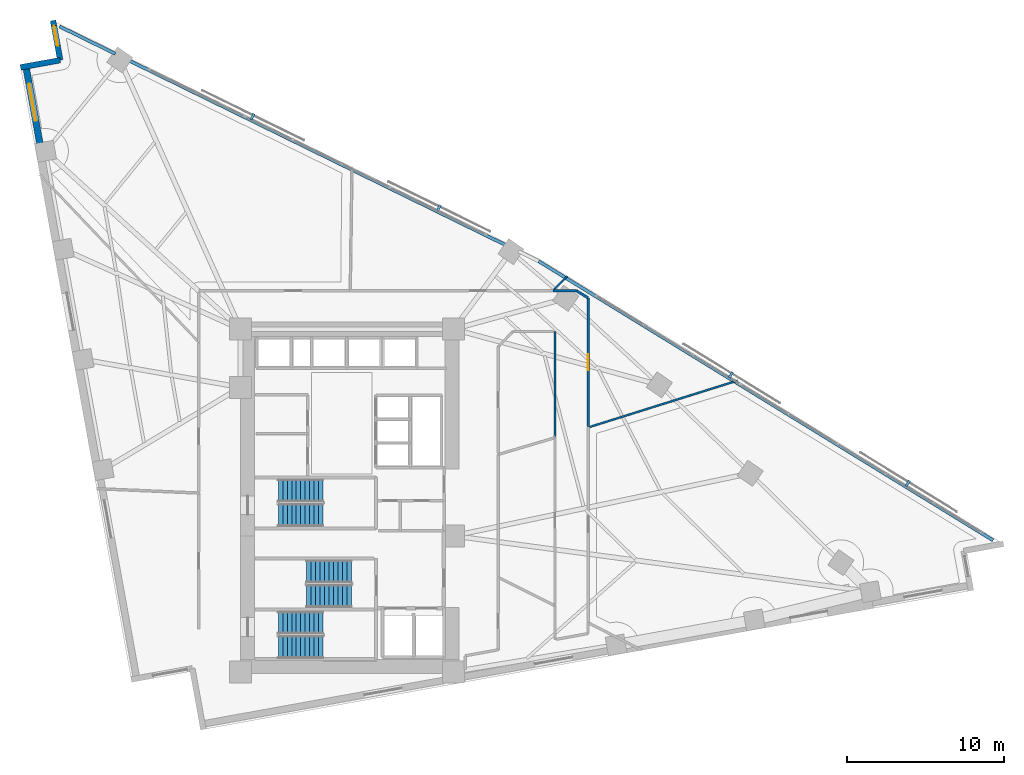
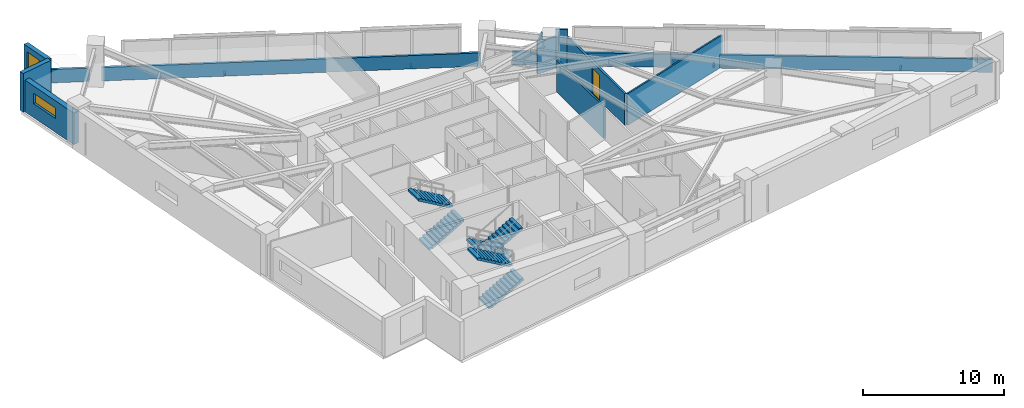
# One storey, part 17 of 19: 12 walls, 6 stair flights, 4 discrete accessories, 2 windows, 1 door, 3 openings, 3 elements without a shape of their own.
"""IFC4 building model written with IfcOpenShell, lengths in metres."""

from ifc_helpers import new_model, si_unit, direction, frame, frame_2d, origin, origin_2d, place, context, subcontext, project, spatial, polyline, rectangle, outline, extrude, material, layer, layer_set, type_object, element, fill, aggregate, save


model = new_model("IFC4")

# Units and contexts
model_context = context("Model", 3, precision=1e-05, world=origin(), true_north=direction((0.0, 1.0)))
body_context = subcontext(model_context, "Body", "Model", "MODEL_VIEW")
ifc_project = project(units=[si_unit("LENGTHUNIT", "METRE"), si_unit("AREAUNIT", "SQUARE_METRE"), si_unit("VOLUMEUNIT", "CUBIC_METRE"), si_unit("PLANEANGLEUNIT", "RADIAN"), si_unit("MASSUNIT", "GRAM", prefix="KILO")], contexts=[model_context])

# Site, building, storey
site_placement = place(None, origin())
site = spatial("IfcSite", under=ifc_project, at=site_placement, CompositionType="ELEMENT")
building_placement = place(site_placement, origin())
building = spatial("IfcBuilding", under=site, at=building_placement, Name="Narakoshi Arena Tower", CompositionType="ELEMENT")
storey_placement = place(building_placement, frame((0.0, 0.0, 117.300048828125)))
storey = spatial("IfcBuildingStorey", under=building, at=storey_placement, Name="L31", CompositionType="ELEMENT", Elevation=117.300048828125)

# Wall, opening, door
ifc_material_1 = material(Name="Gypsum plasterboard fire-rated partition")
ifc_layer_1 = layer(ifc_material_1, 0.1650390625)
ifc_layer_set_1 = layer_set([ifc_layer_1], Name="Gypsum plasterboard fire-rated partition")
wall_type_1 = type_object("IfcWallType", Name="WL-CORR-165", PredefinedType="PARTITIONING", material=ifc_layer_set_1)
wall_1_placement = place(storey_placement, frame((94.10498046875, 50.306396484375, 0.0), z_axis=(0.0, 0.0, 1.0), x_axis=(0.0, 1.0, 0.0)))
wall_1 = element("IfcWall", 1, at=wall_1_placement, inside=storey, type_object=wall_type_1, Name="L31 Corridor Partition 05-1", PredefinedType="PARTITIONING", context=body_context, shape_type="SweptSolid", body=[
    extrude(rectangle(XDim=8.186279296875, YDim=0.1650390625, at=frame_2d((4.09326171875, 0.0))), origin(), (0.0, 0.0, 1.0), 2.724853515625),
])
opening_1_placement = place(wall_1_placement, frame((3.59326171875, 0.0, 0.0)))
opening_1 = element("IfcOpeningElement", 2, at=opening_1_placement, cuts=wall_1, Name="Opening D-06", PredefinedType="OPENING", context=body_context, shape_type="SweptSolid", body=[
    extrude(rectangle(XDim=1.0, YDim=2.199951171875, at=frame_2d((0.5, 1.10009765625))), frame((0.0, 0.092529296875, 0.0), z_axis=(0.0, -1.0, 0.0), x_axis=(1.0, 0.0, 0.0)), (0.0, 0.0, 1.0), 0.18505859375),
])
ifc_material_2 = material(Name="Stained oak solid-core timber", Category="wood")
door_type = type_object("IfcDoorType", Name="DR-OFF-1000", OperationType="NOTDEFINED", PredefinedType="DOOR", material=ifc_material_2)
door_placement = place(opening_1_placement, frame((1.0, 0.0, 0.0), z_axis=(0.0, 0.0, 1.0), x_axis=(-1.0, 0.0, 0.0)))
door = element("IfcDoor", 3, at=door_placement, inside=storey, type_object=door_type, Name="DR-L31-019", OperationType="SINGLE_SWING_LEFT", OverallHeight=2.199951171875, OverallWidth=1.0, PredefinedType="DOOR", context=body_context, shape_type="SweptSolid", body=[
    extrude(rectangle(XDim=1.0, YDim=2.199951171875, at=frame_2d((0.5, 1.10009765625))), frame((0.0, 0.02490234375, 0.0), z_axis=(0.0, -1.0, 0.0), x_axis=(1.0, 0.0, 0.0)), (0.0, 0.0, 1.0), 0.050048828125),
])
fill(opening_1, door)

# Walls
wall_2_placement = place(storey_placement, frame((93.370361328125, 58.944091796875, 0.0), z_axis=(0.0, 0.0, 1.0), x_axis=(-1.0, 0.0, 0.0)))
element("IfcWall", 4, at=wall_2_placement, inside=storey, type_object=wall_type_1, Name="L31 Corridor Partition 05-2", PredefinedType="PARTITIONING", context=body_context, shape_type="SweptSolid", body=[
    extrude(rectangle(XDim=1.509033203125, YDim=0.1650390625, at=frame_2d((0.75439453125, 0.0))), origin(), (0.0, 0.0, 1.0), 2.724853515625),
])
wall_3_placement = place(storey_placement, frame((94.10498046875, 58.49267578125, 0.0), z_axis=(0.0, 0.0, 1.0), x_axis=(-0.851998403327, 0.523544382769, 0.0)))
element("IfcWall", 5, at=wall_3_placement, inside=storey, type_object=wall_type_1, Name="L31 Corridor Partition 05-3", PredefinedType="PARTITIONING", context=body_context, shape_type="SweptSolid", body=[
    extrude(rectangle(XDim=0.8623046875, YDim=0.1650390625, at=frame_2d((0.43115234375, 0.0))), origin(), (0.0, 0.0, 1.0), 3.33984375),
])
ifc_material_3 = material(Name="Precast concrete C45/55", Category="concrete")
ifc_layer_2 = layer(ifc_material_3, 0.25)
ifc_layer_set_2 = layer_set([ifc_layer_2], Name="Precast concrete C45/55")
wall_type_2 = type_object("IfcWallType", Name="WL-PARA-250", PredefinedType="PARAPET", material=ifc_layer_set_2)
wall_4_placement = place(storey_placement, frame((119.86474609375, 43.0703125, 0.0), z_axis=(0.0, 0.0, 1.0), x_axis=(-0.852110824326, 0.52336138859, 0.0)))
element("IfcWall", 6, at=wall_4_placement, inside=storey, type_object=wall_type_2, Name="L31 Hypotenuse Sill Upstand Parapet 1-01", PredefinedType="PARAPET", context=body_context, shape_type="SweptSolid", body=[
    extrude(rectangle(XDim=33.931640625, YDim=0.199951171875, at=frame_2d((16.9658203125, 0.0))), origin(), (0.0, 0.0, 1.0), 1.14990234375),
])
wall_5_placement = place(storey_placement, frame((88.9208984375, 61.82275390625, 0.0), z_axis=(0.0, 0.0, 1.0), x_axis=(-0.897993533426, 0.440008652103, 0.0)))
element("IfcWall", 7, at=wall_5_placement, inside=storey, type_object=wall_type_2, Name="L31 Hypotenuse Sill Upstand Parapet 2-02", PredefinedType="PARAPET", context=body_context, shape_type="SweptSolid", body=[
    extrude(rectangle(XDim=26.86376953125, YDim=0.199951171875, at=frame_2d((13.431884765625, 0.0))), origin(), (0.0, 0.0, 1.0), 1.14990234375),
])
wall_6_placement = place(storey_placement, frame((64.031982421875, 74.01806640625, 0.0), z_axis=(0.0, 0.0, 1.0), x_axis=(-0.89799103332, 0.440013754417, 0.0)))
element("IfcWall", 8, at=wall_6_placement, inside=storey, type_object=wall_type_2, Name="L31 Hypotenuse Sill Upstand Parapet 2-03", PredefinedType="PARAPET", context=body_context, shape_type="SweptSolid", body=[
    extrude(rectangle(XDim=3.954833984375, YDim=0.199951171875, at=frame_2d((1.9775390625, 0.0))), origin(), (0.0, 0.0, 1.0), 1.14990234375),
])
ifc_layer_3 = layer(ifc_material_1, 0.125)
ifc_layer_set_3 = layer_set([ifc_layer_3], Name="Gypsum plasterboard fire-rated partition")
wall_type_3 = type_object("IfcWallType", Name="WL-PART-125", PredefinedType="PARTITIONING", material=ifc_layer_set_3)
wall_7_placement = place(storey_placement, frame((94.199462890625, 50.276123046875, 0.0), z_axis=(0.0, 0.0, 1.0), x_axis=(0.954114642995, 0.29944156028, 0.0)))
element("IfcWall", 9, at=wall_7_placement, inside=storey, type_object=wall_type_3, Name="L31 Inter-Room Partition 04-05", PredefinedType="PARTITIONING", context=body_context, shape_type="SweptSolid", body=[
    extrude(rectangle(XDim=9.876708984375, YDim=0.125, at=frame_2d((4.9384765625, 0.0))), origin(), (0.0, 0.0, 1.0), 2.724853515625),
])
wall_8_placement = place(storey_placement, frame((91.9560546875, 59.03857421875, 0.0), z_axis=(0.0, 0.0, 1.0), x_axis=(0.708129644878, 0.706082435729, 0.0)))
element("IfcWall", 10, at=wall_8_placement, inside=storey, type_object=wall_type_3, Name="L31 Inter-Room Partition 05-07", PredefinedType="PARTITIONING", context=body_context, shape_type="SweptSolid", body=[
    extrude(rectangle(XDim=1.192626953125, YDim=0.125, at=frame_2d((0.59619140625, 0.0))), origin(), (0.0, 0.0, 1.0), 2.724853515625),
])

# Wall, opening, window
ifc_layer_4 = layer(ifc_material_3, 0.419921875)
ifc_layer_set_4 = layer_set([ifc_layer_4], Name="Precast concrete C45/55")
wall_type_4 = type_object("IfcWallType", Name="WL-POD-420", PredefinedType="SOLIDWALL", material=ifc_layer_set_4)
wall_9_placement = place(storey_placement, frame((58.341796875, 73.2197265625, 0.0), z_axis=(0.0, 0.0, 1.0), x_axis=(0.177981837245, -0.984033772597, 0.0)))
wall_9 = element("IfcWall", 11, at=wall_9_placement, inside=storey, type_object=wall_type_4, Name="L31 Architectural Concrete Facade Wall LEGB-1", PredefinedType="SOLIDWALL", context=body_context, shape_type="SweptSolid", body=[
    extrude(rectangle(XDim=5.540283203125, YDim=0.419921875, at=frame_2d((2.77001953125, 0.0))), origin(), (0.0, 0.0, 1.0), 2.724853515625),
])
opening_2_placement = place(wall_9_placement, frame((1.11767578125, 0.0, 1.199951171875)))
opening_2 = element("IfcOpeningElement", 12, at=opening_2_placement, cuts=wall_9, Name="Opening WN-01", PredefinedType="OPENING", context=body_context, shape_type="SweptSolid", body=[
    extrude(rectangle(XDim=2.39990234375, YDim=0.89990234375, at=frame_2d((1.199951171875, 0.449951171875))), frame((0.0, 0.219970703125, 0.0), z_axis=(0.0, -1.0, 0.0), x_axis=(1.0, 0.0, 0.0)), (0.0, 0.0, 1.0), 0.43994140625),
])
ifc_material_4 = material(Name="Bronze-tinted low-E laminated glass", Category="glass")
window_type_1 = type_object("IfcWindowType", Name="WIN-SLT-24x09", PartitioningType="SINGLE_PANEL", PredefinedType="WINDOW", material=ifc_material_4)
window_1_placement = place(opening_2_placement, origin())
window_1 = element("IfcWindow", 13, at=window_1_placement, inside=storey, type_object=window_type_1, Name="L31 LEGB1 Horizontal Slot Window 1", OverallHeight=0.89990234375, OverallWidth=2.39990234375, PartitioningType="SINGLE_PANEL", PredefinedType="WINDOW", context=body_context, shape_type="SweptSolid", body=[
    extrude(rectangle(XDim=2.39990234375, YDim=0.89990234375, at=frame_2d((1.199951171875, 0.449951171875))), frame((0.0, 0.030029296875, 0.0), z_axis=(0.0, -1.0, 0.0), x_axis=(1.0, 0.0, 0.0)), (0.0, 0.0, 1.0), 0.06005859375),
])
fill(opening_2, window_1)

wall_10_placement = place(storey_placement, frame((60.066162109375, 76.139404296875, 0.0), z_axis=(0.0, 0.0, 1.0), x_axis=(0.177897493713, -0.984049024048, 0.0)))
wall_10 = element("IfcWall", 14, at=wall_10_placement, inside=storey, type_object=wall_type_4, Name="L31 Re-Entrant Corner Notch Wall NTN-1", PredefinedType="SOLIDWALL", context=body_context, shape_type="SweptSolid", body=[
    extrude(rectangle(XDim=2.56640625, YDim=0.360107421875, at=frame_2d((1.283203125, 0.0))), origin(), (0.0, 0.0, 1.0), 3.33984375),
])
opening_3_placement = place(wall_10_placement, frame((0.340087890625, 0.0, 0.449951171875)))
opening_3 = element("IfcOpeningElement", 15, at=opening_3_placement, cuts=wall_10, Name="Opening WN-06", PredefinedType="OPENING", context=body_context, shape_type="SweptSolid", body=[
    extrude(rectangle(XDim=1.300048828125, YDim=2.39990234375, at=frame_2d((0.64990234375, 1.199951171875))), frame((0.0, 0.18994140625, 0.0), z_axis=(0.0, -1.0, 0.0), x_axis=(1.0, 0.0, 0.0)), (0.0, 0.0, 1.0), 0.380126953125),
])
window_type_2 = type_object("IfcWindowType", Name="WIN-NTC-16x24", PartitioningType="SINGLE_PANEL", PredefinedType="WINDOW", material=ifc_material_4)
window_2_placement = place(opening_3_placement, origin())
window_2 = element("IfcWindow", 16, at=window_2_placement, inside=storey, type_object=window_type_2, Name="L31 Corner Notch Window NTN", OverallHeight=2.39990234375, OverallWidth=1.300048828125, PartitioningType="SINGLE_PANEL", PredefinedType="WINDOW", context=body_context, shape_type="SweptSolid", body=[
    extrude(rectangle(XDim=1.300048828125, YDim=2.39990234375, at=frame_2d((0.64990234375, 1.199951171875))), frame((0.0, 0.030029296875, 0.0), z_axis=(0.0, -1.0, 0.0), x_axis=(1.0, 0.0, 0.0)), (0.0, 0.0, 1.0), 0.06005859375),
])
fill(opening_3, window_2)

# Walls
wall_11_placement = place(storey_placement, frame((60.522705078125, 73.614013671875, 0.0), z_axis=(0.0, 0.0, 1.0), x_axis=(-0.984046012923, -0.177914149102, 0.0)))
element("IfcWall", 17, at=wall_11_placement, inside=storey, type_object=wall_type_4, Name="L31 Re-Entrant Corner Notch Wall NTN-2", PredefinedType="SOLIDWALL", context=body_context, shape_type="SweptSolid", body=[
    extrude(rectangle(XDim=2.566162109375, YDim=0.360107421875, at=frame_2d((1.283203125, 0.0))), origin(), (0.0, 0.0, 1.0), 3.33984375),
])
ifc_material_5 = material(Name="Moisture-resistant cement-board partition")
ifc_layer_5 = layer(ifc_material_5, 0.14501953125)
ifc_layer_set_5 = layer_set([ifc_layer_5], Name="Moisture-resistant cement-board partition")
wall_type_5 = type_object("IfcWallType", Name="WL-WET-145", PredefinedType="PARTITIONING", material=ifc_layer_set_5)
wall_12_placement = place(storey_placement, frame((92.0048828125, 56.35009765625, 0.0), z_axis=(0.0, 0.0, 1.0), x_axis=(0.0, -1.0, 0.0)))
element("IfcWall", 18, at=wall_12_placement, inside=storey, type_object=wall_type_5, Name="L31 Corridor Partition 06-2", PredefinedType="PARTITIONING", context=body_context, shape_type="SweptSolid", body=[
    extrude(rectangle(XDim=6.687744140625, YDim=0.14501953125, at=frame_2d((3.34375, 0.0))), origin(), (0.0, 0.0, 1.0), 2.724853515625),
])

# Stair, stair flights
ifc_material_6 = material(Name="Concrete C45/55", Category="concrete")
stair_type = type_object("IfcStairType", Name="STR-CORE-360", PredefinedType="TWO_STRAIGHT_RUN_STAIR", material=ifc_material_6)
stair_1_placement = place(storey_placement, origin())
stair_1 = element("IfcStair", 19, at=stair_1_placement, inside=storey, type_object=stair_type, Name="L31 Core Escape Stair ST1", PredefinedType="TWO_STRAIGHT_RUN_STAIR")
stair_flight_type = type_object("IfcStairFlightType", Name="FLT-145-160", PredefinedType="STRAIGHT", material=ifc_material_3)
stair_flight_1_placement = place(storey_placement, frame((74.39990234375, 36.27490234375, 0.0), z_axis=(0.0, 0.0, 1.0), x_axis=(1.0, 0.0, 0.0)))
stair_flight_1 = element("IfcStairFlight", 20, at=stair_flight_1_placement, type_object=stair_flight_type, Name="ST1 flight 1", NumberOfRisers=11, NumberOfTreads=10, PredefinedType="STRAIGHT", RiserHeight=0.163636364, TreadLength=0.285, context=body_context, shape_type="SweptSolid", body=[
    extrude(outline(polyline([(0.0, 0.0), (0.0, 0.16357421875), (0.284912109375, 0.16357421875), (0.284912109375, 0.327392578125), (0.570068359375, 0.327392578125), (0.570068359375, 0.490966796875), (0.85498046875, 0.490966796875), (0.85498046875, 0.654541015625), (1.139892578125, 0.654541015625), (1.139892578125, 0.818115234375), (1.425048828125, 0.818115234375), (1.425048828125, 0.98193359375), (1.7099609375, 0.98193359375), (1.7099609375, 1.1455078125), (1.9951171875, 1.1455078125), (1.9951171875, 1.30908203125), (2.280029296875, 1.30908203125), (2.280029296875, 1.47265625), (2.56494140625, 1.47265625), (2.56494140625, 1.636474609375), (2.85009765625, 1.636474609375), (2.85009765625, 1.800048828125), (2.85009765625, 1.463623046875), (0.301025390625, 0.0), (0.0, 0.0)])), frame((0.0, 0.72509765625, 0.0), z_axis=(0.0, -1.0, 0.0), x_axis=(1.0, 0.0, 0.0)), (0.0, 0.0, 1.0), 1.449951171875),
])
stair_flight_2_placement = place(storey_placement, frame((77.25, 37.824951171875, 1.800048828125), z_axis=(0.0, 0.0, 1.0), x_axis=(-1.0, 0.0, 0.0)))
stair_flight_2 = element("IfcStairFlight", 21, at=stair_flight_2_placement, type_object=stair_flight_type, Name="ST1 flight 2", NumberOfRisers=11, NumberOfTreads=10, PredefinedType="STRAIGHT", RiserHeight=0.163636364, TreadLength=0.285, context=body_context, shape_type="SweptSolid", body=[
    extrude(outline(polyline([(0.0, 0.0), (0.0, 0.16357421875), (0.284912109375, 0.16357421875), (0.284912109375, 0.327392578125), (0.570068359375, 0.327392578125), (0.570068359375, 0.490966796875), (0.85498046875, 0.490966796875), (0.85498046875, 0.654541015625), (1.139892578125, 0.654541015625), (1.139892578125, 0.818115234375), (1.425048828125, 0.818115234375), (1.425048828125, 0.98193359375), (1.7099609375, 0.98193359375), (1.7099609375, 1.1455078125), (1.9951171875, 1.1455078125), (1.9951171875, 1.30908203125), (2.280029296875, 1.30908203125), (2.280029296875, 1.47265625), (2.56494140625, 1.47265625), (2.56494140625, 1.636474609375), (2.85009765625, 1.636474609375), (2.85009765625, 1.800048828125), (2.85009765625, 1.463623046875), (0.301025390625, 0.0), (0.0, 0.0)])), frame((0.0, 0.72509765625, 0.0), z_axis=(0.0, -1.0, 0.0), x_axis=(1.0, 0.0, 0.0)), (0.0, 0.0, 1.0), 1.449951171875),
])
aggregate(stair_1, [stair_flight_1, stair_flight_2])

stair_2_placement = place(storey_placement, origin())
stair_2 = element("IfcStair", 22, at=stair_2_placement, inside=storey, type_object=stair_type, Name="L31 Core Escape Stair ST2", PredefinedType="TWO_STRAIGHT_RUN_STAIR")
stair_flight_3_placement = place(storey_placement, frame((79.050048828125, 41.074951171875, 0.0), z_axis=(0.0, 0.0, 1.0), x_axis=(-1.0, 0.0, 0.0)))
stair_flight_3 = element("IfcStairFlight", 23, at=stair_flight_3_placement, type_object=stair_flight_type, Name="ST2 flight 1", NumberOfRisers=11, NumberOfTreads=10, PredefinedType="STRAIGHT", RiserHeight=0.163636364, TreadLength=0.285, context=body_context, shape_type="SweptSolid", body=[
    extrude(outline(polyline([(0.0, 0.0), (0.0, 0.16357421875), (0.284912109375, 0.16357421875), (0.284912109375, 0.327392578125), (0.570068359375, 0.327392578125), (0.570068359375, 0.490966796875), (0.85498046875, 0.490966796875), (0.85498046875, 0.654541015625), (1.139892578125, 0.654541015625), (1.139892578125, 0.818115234375), (1.425048828125, 0.818115234375), (1.425048828125, 0.98193359375), (1.7099609375, 0.98193359375), (1.7099609375, 1.1455078125), (1.9951171875, 1.1455078125), (1.9951171875, 1.30908203125), (2.280029296875, 1.30908203125), (2.280029296875, 1.47265625), (2.56494140625, 1.47265625), (2.56494140625, 1.636474609375), (2.85009765625, 1.636474609375), (2.85009765625, 1.800048828125), (2.85009765625, 1.463623046875), (0.301025390625, 0.0), (0.0, 0.0)])), frame((0.0, 0.72509765625, 0.0), z_axis=(0.0, -1.0, 0.0), x_axis=(1.0, 0.0, 0.0)), (0.0, 0.0, 1.0), 1.449951171875),
])
stair_flight_4_placement = place(storey_placement, frame((76.199951171875, 39.52490234375, 1.800048828125), z_axis=(0.0, 0.0, 1.0), x_axis=(1.0, 0.0, 0.0)))
stair_flight_4 = element("IfcStairFlight", 24, at=stair_flight_4_placement, type_object=stair_flight_type, Name="ST2 flight 2", NumberOfRisers=11, NumberOfTreads=10, PredefinedType="STRAIGHT", RiserHeight=0.163636364, TreadLength=0.285, context=body_context, shape_type="SweptSolid", body=[
    extrude(outline(polyline([(0.0, 0.0), (0.0, 0.16357421875), (0.284912109375, 0.16357421875), (0.284912109375, 0.327392578125), (0.570068359375, 0.327392578125), (0.570068359375, 0.490966796875), (0.85498046875, 0.490966796875), (0.85498046875, 0.654541015625), (1.139892578125, 0.654541015625), (1.139892578125, 0.818115234375), (1.425048828125, 0.818115234375), (1.425048828125, 0.98193359375), (1.7099609375, 0.98193359375), (1.7099609375, 1.1455078125), (1.9951171875, 1.1455078125), (1.9951171875, 1.30908203125), (2.280029296875, 1.30908203125), (2.280029296875, 1.47265625), (2.56494140625, 1.47265625), (2.56494140625, 1.636474609375), (2.85009765625, 1.636474609375), (2.85009765625, 1.800048828125), (2.85009765625, 1.463623046875), (0.301025390625, 0.0), (0.0, 0.0)])), frame((0.0, 0.72509765625, 0.0), z_axis=(0.0, -1.0, 0.0), x_axis=(1.0, 0.0, 0.0)), (0.0, 0.0, 1.0), 1.449951171875),
])
aggregate(stair_2, [stair_flight_3, stair_flight_4])

stair_3_placement = place(storey_placement, origin())
stair_3 = element("IfcStair", 25, at=stair_3_placement, inside=storey, type_object=stair_type, Name="L31 Core Escape Stair ST3", PredefinedType="TWO_STRAIGHT_RUN_STAIR")
stair_flight_5_placement = place(storey_placement, frame((74.39990234375, 44.675048828125, 0.0), z_axis=(0.0, 0.0, 1.0), x_axis=(1.0, 0.0, 0.0)))
stair_flight_5 = element("IfcStairFlight", 26, at=stair_flight_5_placement, type_object=stair_flight_type, Name="ST3 flight 1", NumberOfRisers=11, NumberOfTreads=10, PredefinedType="STRAIGHT", RiserHeight=0.163636364, TreadLength=0.285, context=body_context, shape_type="SweptSolid", body=[
    extrude(outline(polyline([(0.0, 0.0), (0.0, 0.16357421875), (0.284912109375, 0.16357421875), (0.284912109375, 0.327392578125), (0.570068359375, 0.327392578125), (0.570068359375, 0.490966796875), (0.85498046875, 0.490966796875), (0.85498046875, 0.654541015625), (1.139892578125, 0.654541015625), (1.139892578125, 0.818115234375), (1.425048828125, 0.818115234375), (1.425048828125, 0.98193359375), (1.7099609375, 0.98193359375), (1.7099609375, 1.1455078125), (1.9951171875, 1.1455078125), (1.9951171875, 1.30908203125), (2.280029296875, 1.30908203125), (2.280029296875, 1.47265625), (2.56494140625, 1.47265625), (2.56494140625, 1.636474609375), (2.85009765625, 1.636474609375), (2.85009765625, 1.800048828125), (2.85009765625, 1.463623046875), (0.301025390625, 0.0), (0.0, 0.0)])), frame((0.0, 0.72509765625, 0.0), z_axis=(0.0, -1.0, 0.0), x_axis=(1.0, 0.0, 0.0)), (0.0, 0.0, 1.0), 1.449951171875),
])
stair_flight_6_placement = place(storey_placement, frame((77.25, 46.22509765625, 1.800048828125), z_axis=(0.0, 0.0, 1.0), x_axis=(-1.0, 0.0, 0.0)))
stair_flight_6 = element("IfcStairFlight", 27, at=stair_flight_6_placement, type_object=stair_flight_type, Name="ST3 flight 2", NumberOfRisers=11, NumberOfTreads=10, PredefinedType="STRAIGHT", RiserHeight=0.163636364, TreadLength=0.285, context=body_context, shape_type="SweptSolid", body=[
    extrude(outline(polyline([(0.0, 0.0), (0.0, 0.16357421875), (0.284912109375, 0.16357421875), (0.284912109375, 0.327392578125), (0.570068359375, 0.327392578125), (0.570068359375, 0.490966796875), (0.85498046875, 0.490966796875), (0.85498046875, 0.654541015625), (1.139892578125, 0.654541015625), (1.139892578125, 0.818115234375), (1.425048828125, 0.818115234375), (1.425048828125, 0.98193359375), (1.7099609375, 0.98193359375), (1.7099609375, 1.1455078125), (1.9951171875, 1.1455078125), (1.9951171875, 1.30908203125), (2.280029296875, 1.30908203125), (2.280029296875, 1.47265625), (2.56494140625, 1.47265625), (2.56494140625, 1.636474609375), (2.85009765625, 1.636474609375), (2.85009765625, 1.800048828125), (2.85009765625, 1.463623046875), (0.301025390625, 0.0), (0.0, 0.0)])), frame((0.0, 0.72509765625, 0.0), z_axis=(0.0, -1.0, 0.0), x_axis=(1.0, 0.0, 0.0)), (0.0, 0.0, 1.0), 1.449951171875),
])
aggregate(stair_3, [stair_flight_5, stair_flight_6])

# Discrete accessories
ifc_material_7 = material(Name="Structural steel S355J2", Category="steel")
discrete_accessory_type = type_object("IfcDiscreteAccessoryType", Name="ACC-BRK-SCR", PredefinedType="BRACKET", material=ifc_material_7)
for number, where, z_axis, x_axis, name in (
    (28, (114.442138671875, 46.6826171875, -0.080078125), (0.0, 0.0, 1.0), (-0.852110807003, 0.523361416794, 0.0), "L31 Solar Screen Support Bracket SHD-L31-SCR1-1"),
    (29, (103.1943359375, 53.5908203125, -0.080078125), (0.0, 0.0, 1.0), (-0.852110807003, 0.523361416794, 0.0), "L31 Solar Screen Support Bracket SHD-L31-SCR1-2"),
    (30, (84.6044921875, 64.205078125, -0.080078125), (0.0, 0.0, 1.0), (-0.897996860024, 0.440001862936, 0.0), "L31 Solar Screen Support Bracket SHD-L31-SCR2-1"),
    (31, (72.7509765625, 70.01318359375, -0.080078125), (0.0, 0.0, 1.0), (-0.897996860024, 0.440001862936, 0.0), "L31 Solar Screen Support Bracket SHD-L31-SCR2-2"),
):
    element("IfcDiscreteAccessory", number, at=place(storey_placement, frame(where, z_axis=z_axis, x_axis=x_axis)), inside=storey, type_object=discrete_accessory_type, Name=name, PredefinedType="BRACKET", context=body_context, shape_type="SweptSolid", body=[
        extrude(rectangle(XDim=0.159912109375, YDim=0.425048828125, at=origin_2d()), origin(), (0.0, 0.0, 1.0), 0.199951171875),
    ])

save(model, "model.ifc")
